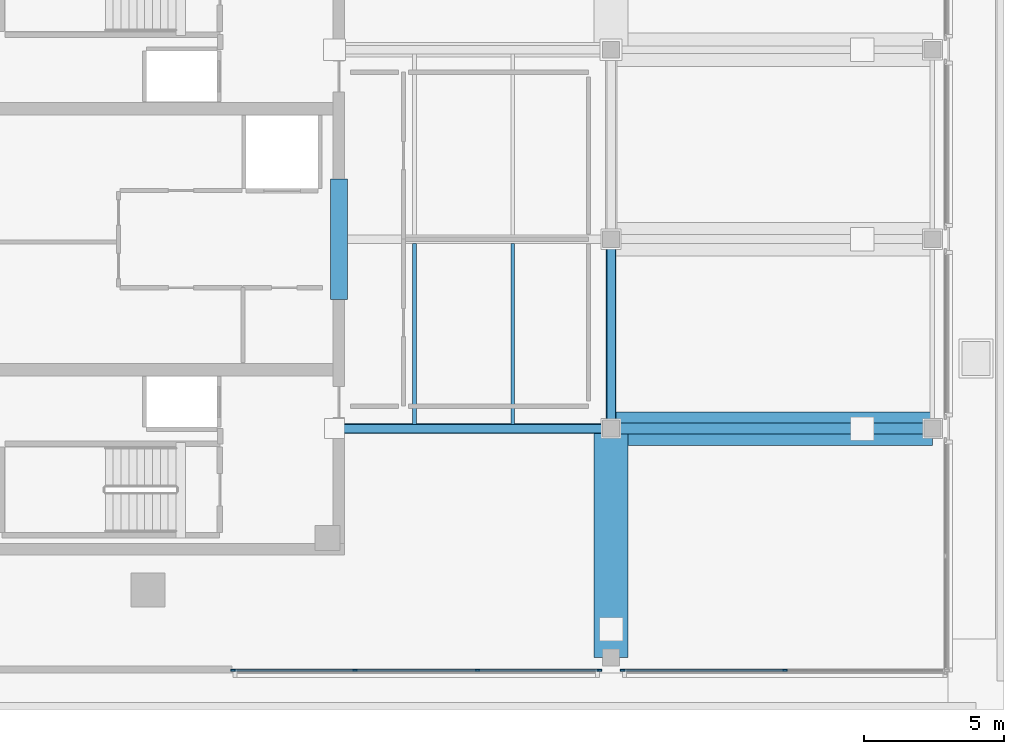
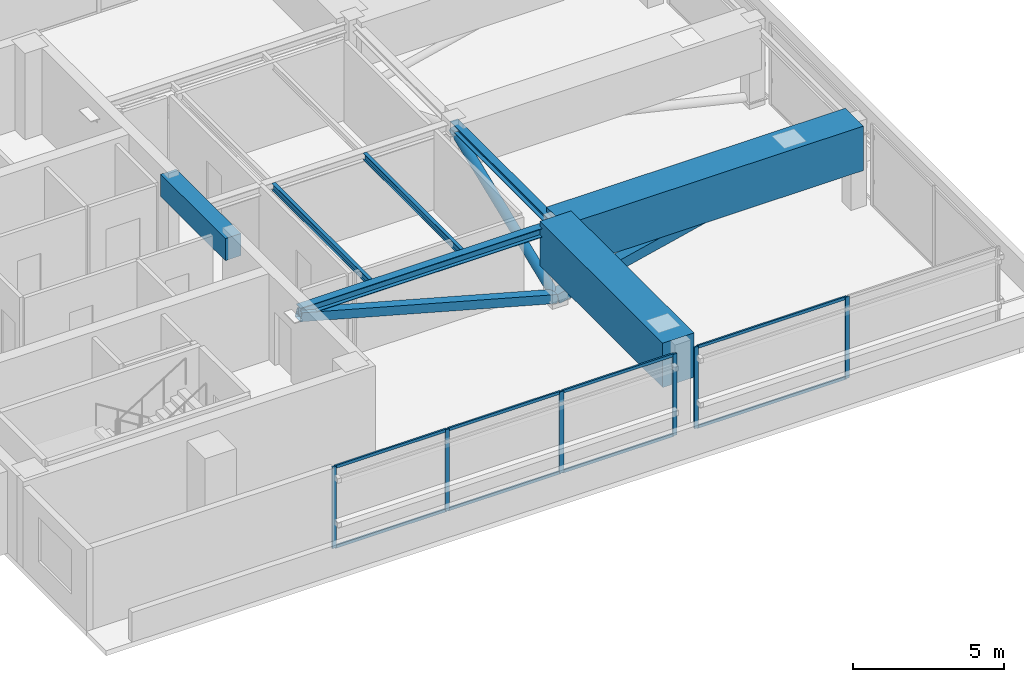
# One storey, part 2 of 11: 17 members, 7 beams, 2 elements without a shape of their own.
"""IFC4 building model written with IfcOpenShell, lengths in metres."""

import ifcopenshell
import ifcopenshell.guid

model = None  # the IFC model being written
_history = None  # IfcOwnerHistory: only IFC2X3 demands one
_inside = {}  # id of a spatial element -> (the spatial element, [elements in it])
_under = {}  # id of a project, library or spatial element -> (it, [spatial elements below it])
_declared = {}  # id of a project -> (the project, [libraries it declares])
_typed = {}  # id of a type object -> (the type object, [elements of that type])
_made_of = {}  # id of a material, layer set ... -> (it, [elements and type objects made of it])


def new_model(schema):
    """Start an empty IFC model of exactly this schema.

    Asked for "IFC4X3", IfcOpenShell would pick the latest addendum, in which some entities
    have other attributes; the version numbers below select the first issue.
    IFC2X3 requires an IfcOwnerHistory on every rooted entity: one is made here for all.
    """
    global model, _history
    if schema == "IFC4X3":
        model = ifcopenshell.file(schema_version=(4, 3, 0, 0))
    else:
        model = ifcopenshell.file(schema=schema)
    _inside.clear()
    _under.clear()
    _declared.clear()
    _typed.clear()
    _made_of.clear()
    _history = None
    if model.schema == "IFC2X3":
        org = make("IfcOrganization", Name="unknown")
        user = make(
            "IfcPersonAndOrganization",
            ThePerson=make("IfcPerson", FamilyName="unknown"),
            TheOrganization=org,
        )
        app = make(
            "IfcApplication",
            ApplicationDeveloper=org,
            Version="unknown",
            ApplicationFullName="unknown",
            ApplicationIdentifier="unknown",
        )
        _history = make(
            "IfcOwnerHistory",
            OwningUser=user,
            OwningApplication=app,
            ChangeAction="ADDED",
            CreationDate=0,
        )
    return model


def make(cls, **values):
    """One entity of the class cls with the attributes given. An attribute that is None is left unset."""
    return model.create_entity(
        cls, **{name: value for name, value in values.items() if value is not None}
    )


def rooted(cls, **values):
    """An entity with a GlobalId (a new one), such as an element, a storey or a relation."""
    return make(cls, GlobalId=ifcopenshell.guid.new(), OwnerHistory=_history, **values)


def si_unit(unit_type, name, prefix=None):
    """IfcSIUnit, for example si_unit("LENGTHUNIT", "METRE", prefix="MILLI")."""
    return make("IfcSIUnit", UnitType=unit_type, Prefix=prefix, Name=name)


def assignment(units):
    """IfcUnitAssignment: the units of a project."""
    return None if units is None else make("IfcUnitAssignment", Units=units)


def point(xyz):
    """IfcCartesianPoint."""
    return None if xyz is None else make("IfcCartesianPoint", Coordinates=xyz)


def direction(xyz):
    """IfcDirection."""
    return None if xyz is None else make("IfcDirection", DirectionRatios=xyz)


def frame(location, z_axis=None, x_axis=None):
    """IfcAxis2Placement3D, a coordinate frame: its origin and axes. An axis left out is left unset."""
    return make(
        "IfcAxis2Placement3D",
        Location=point(location),
        Axis=direction(z_axis),
        RefDirection=direction(x_axis),
    )


def frame_2d(location, x_axis=None):
    """IfcAxis2Placement2D, a coordinate frame in the plane: its origin and x axis."""
    return make(
        "IfcAxis2Placement2D", Location=point(location), RefDirection=direction(x_axis)
    )


def origin():
    """The frame at (0, 0, 0) with its axes left unset."""
    return frame((0.0, 0.0, 0.0))


def origin_2d():
    """The frame at (0, 0) in the plane with its x axis left unset."""
    return frame_2d((0.0, 0.0))


def place(relative_to, where):
    """IfcLocalPlacement: puts the frame where relative to a parent placement (None: the world)."""
    return make(
        "IfcLocalPlacement", PlacementRelTo=relative_to, RelativePlacement=where
    )


def context(
    kind, dimensions, precision=None, world=None, true_north=None, identifier=None
):
    """IfcGeometricRepresentationContext, for example the 3D "Model" context."""
    return make(
        "IfcGeometricRepresentationContext",
        ContextIdentifier=identifier,
        ContextType=kind,
        CoordinateSpaceDimension=dimensions,
        Precision=precision,
        WorldCoordinateSystem=world,
        TrueNorth=true_north,
    )


def subcontext(parent, identifier, kind, view, scale=None):
    """IfcGeometricRepresentationSubContext, for example "Body" below "Model"."""
    return make(
        "IfcGeometricRepresentationSubContext",
        ContextIdentifier=identifier,
        ContextType=kind,
        ParentContext=parent,
        TargetScale=scale,
        TargetView=view,
    )


def project(units=None, contexts=None):
    """IfcProject with its units and contexts."""
    return rooted(
        "IfcProject",
        Name="project",
        RepresentationContexts=contexts,
        UnitsInContext=assignment(units),
    )


def spatial(cls, under=None, at=None, **own):
    """A site, building, storey or space (cls), placed at a placement, below another one or the project."""
    s = rooted(cls, ObjectPlacement=at, **own)
    if under is not None:
        _under.setdefault(under.id(), (under, []))[1].append(s)
    return s


def profile(cls, at=None, kind="AREA", **sizes):
    """A parametric profile (cls). Its sizes go by their IFC names, for example OverallWidth=200.0."""
    return make(cls, ProfileType=kind, Position=at, **sizes)


def rectangle(**sizes):
    """IfcRectangleProfileDef."""
    return profile("IfcRectangleProfileDef", **sizes)


def hollow_rectangle(**sizes):
    """IfcRectangleHollowProfileDef."""
    return profile("IfcRectangleHollowProfileDef", **sizes)


def hollow_circle(**sizes):
    """IfcCircleHollowProfileDef."""
    return profile("IfcCircleHollowProfileDef", **sizes)


def i_section(**sizes):
    """IfcIShapeProfileDef."""
    return profile("IfcIShapeProfileDef", **sizes)


def extrude(swept, where, along, depth):
    """IfcExtrudedAreaSolid: the profile swept, set in the frame where, extruded along a direction by depth."""
    return make(
        "IfcExtrudedAreaSolid",
        SweptArea=swept,
        Position=where,
        ExtrudedDirection=direction(along),
        Depth=depth,
    )


def shape(context_of_items, identifier, shape_type, items):
    """IfcShapeRepresentation: the items that make up one representation, for example the "Body"."""
    return make(
        "IfcShapeRepresentation",
        ContextOfItems=context_of_items,
        RepresentationIdentifier=identifier,
        RepresentationType=shape_type,
        Items=items,
    )


def material(Name=None, Category=None):
    """IfcMaterial."""
    return make("IfcMaterial", Name=Name, Category=Category)


def layer(
    of_material, thickness, ventilated=None, Name=None, Category=None, Priority=None
):
    """IfcMaterialLayer: one layer of a wall or slab, of a material (None: an air gap)."""
    return make(
        "IfcMaterialLayer",
        Material=of_material,
        LayerThickness=thickness,
        IsVentilated=ventilated,
        Name=Name,
        Category=Category,
        Priority=Priority,
    )


def layer_set(layers, Name=None):
    """IfcMaterialLayerSet."""
    return make("IfcMaterialLayerSet", MaterialLayers=layers, LayerSetName=Name)


def material_profile(
    of_material, cross_section, Name=None, Category=None, Priority=None
):
    """IfcMaterialProfile: a cross section and its material."""
    return make(
        "IfcMaterialProfile",
        Name=Name,
        Material=of_material,
        Profile=cross_section,
        Priority=Priority,
        Category=Category,
    )


def profile_set(profiles, Name=None, composite=None):
    """IfcMaterialProfileSet."""
    return make(
        "IfcMaterialProfileSet",
        Name=Name,
        MaterialProfiles=profiles,
        CompositeProfile=composite,
    )


def made_of(thing, what):
    """Note that an element or type object is made of a material, layer set ...; save() writes the relation."""
    if what is not None:
        _made_of.setdefault(what.id(), (what, []))[1].append(thing)
    return thing


def type_object(cls, material=None, **own):
    """A type object (cls), such as IfcWallType, which elements share."""
    return made_of(rooted(cls, **own), material)


def element(
    cls,
    number,
    at=None,
    inside=None,
    cuts=None,
    type_object=None,
    material=None,
    context=None,
    identifier="Body",
    shape_type=None,
    held_by="IfcProductDefinitionShape",
    body=None,
    shapes=None,
    **own,
):
    """One element of the class cls, such as IfcWall. Its Tag is "e" and its number.

    at: its placement. inside: the storey or other place that contains it. cuts: it is an
    opening in that element (IfcRelVoidsElement). A single representation is given by context,
    identifier, shape_type and body (its items); several are given by shapes. held_by: the class
    of the entity that holds the representations. save() writes the other relations.
    """
    e = rooted(cls, Tag="e%d" % number, ObjectPlacement=at, **own)
    if body is not None:
        shapes = [shape(context, identifier, shape_type, body)]
    if shapes is not None:
        e.Representation = make(held_by, Representations=shapes)
    if inside is not None:
        _inside.setdefault(inside.id(), (inside, []))[1].append(e)
    if cuts is not None:
        rooted(
            "IfcRelVoidsElement", RelatingBuildingElement=cuts, RelatedOpeningElement=e
        )
    if type_object is not None:
        _typed.setdefault(type_object.id(), (type_object, []))[1].append(e)
    return made_of(e, material)


def aggregate(whole, parts):
    """IfcRelAggregates: a whole, such as a stair, and the parts it consists of."""
    return rooted("IfcRelAggregates", RelatingObject=whole, RelatedObjects=parts)


def save(model, path):
    """Write the relations noted so far, then the file.

    IfcRelAggregates (storeys below a building ...), IfcRelContainedInSpatialStructure (elements
    in a storey), IfcRelDefinesByType, IfcRelAssociatesMaterial and IfcRelDeclares: one each for
    every whole, place, type object, material and project.
    """
    for whole, parts in _under.values():
        aggregate(whole, parts)
    for where, things in _inside.values():
        rooted(
            "IfcRelContainedInSpatialStructure",
            RelatedElements=things,
            RelatingStructure=where,
        )
    for kind, things in _typed.values():
        rooted("IfcRelDefinesByType", RelatedObjects=things, RelatingType=kind)
    for what, things in _made_of.values():
        rooted("IfcRelAssociatesMaterial", RelatedObjects=things, RelatingMaterial=what)
    for by, libraries in _declared.values():
        rooted("IfcRelDeclares", RelatingContext=by, RelatedDefinitions=libraries)
    model.write(path)


model = new_model("IFC4")

# Units and contexts
model_context = context("Model", 3, precision=1e-05, world=origin(), true_north=direction((0.0, 1.0)))
body_context = subcontext(model_context, "Body", "Model", "MODEL_VIEW")
ifc_project = project(units=[si_unit("LENGTHUNIT", "METRE"), si_unit("AREAUNIT", "SQUARE_METRE"), si_unit("VOLUMEUNIT", "CUBIC_METRE"), si_unit("PLANEANGLEUNIT", "RADIAN"), si_unit("MASSUNIT", "GRAM", prefix="KILO")], contexts=[model_context])

# Site, building, storey
site_placement = place(None, origin())
site = spatial("IfcSite", under=ifc_project, at=site_placement, CompositionType="ELEMENT")
building_placement = place(site_placement, origin())
building = spatial("IfcBuilding", under=site, at=building_placement, Name="Kinhvarn Gate Tower", CompositionType="ELEMENT")
storey_placement = place(building_placement, frame((0.0, 0.0, 307.550048828125)))
storey = spatial("IfcBuildingStorey", under=building, at=storey_placement, Name="L81", CompositionType="ELEMENT", Elevation=307.550048828125)

# Beams
ifc_material_1 = material(Name="Concrete C60/75", Category="concrete")
ifc_material_profile_1 = material_profile(ifc_material_1, rectangle(XDim=0.60009765625, YDim=0.89990234375, at=origin_2d()), Name="RC 600x900")
ifc_profile_set_1 = profile_set([ifc_material_profile_1], Name="Concrete C60/75")
beam_type_1 = type_object("IfcBeamType", Name="BM-CB-900", PredefinedType="LINTEL", material=ifc_profile_set_1)
beam_1_placement = place(storey_placement, frame((17.800048828125, 23.10009765625, 2.849853515625), z_axis=(0.0, 1.0, 0.0), x_axis=(-1.0, 0.0, 0.0)))
element("IfcBeam", 1, at=beam_1_placement, inside=storey, type_object=beam_type_1, Name="Core East Portal Coupling Beam L81", PredefinedType="LINTEL", context=body_context, shape_type="SweptSolid", body=[
    extrude(rectangle(XDim=0.60009765625, YDim=0.89990234375, at=origin_2d()), origin(), (0.0, 0.0, 1.0), 4.2998046875),
])
ifc_material_2 = material(Name="Concrete C50/60", Category="concrete")
ifc_material_profile_2 = material_profile(ifc_material_2, rectangle(XDim=1.199951171875, YDim=1.800048828125, at=origin_2d()), Name="RC 1200x1800")
ifc_profile_set_2 = profile_set([ifc_material_profile_2], Name="Concrete C50/60")
beam_type_2 = type_object("IfcBeamType", Name="BM-TG-1800", PredefinedType="BEAM", material=ifc_profile_set_2)
beam_2_placement = place(storey_placement, frame((27.5, 18.5, 2.599853515625), z_axis=(1.0, 0.0, 0.0), x_axis=(0.0, 1.0, 0.0)))
element("IfcBeam", 2, at=beam_2_placement, inside=storey, type_object=beam_type_2, Name="Setback Transfer Girder TG-03-L82-CCR-E1", PredefinedType="BEAM", context=body_context, shape_type="SweptSolid", body=[
    extrude(rectangle(XDim=1.199951171875, YDim=1.800048828125, at=origin_2d()), origin(), (0.0, 0.0, 1.0), 11.449951171875),
])
beam_3_placement = place(storey_placement, frame((27.5, 10.35009765625, 2.599853515625), z_axis=(0.0, 1.0, 0.0), x_axis=(-1.0, 0.0, 0.0)))
element("IfcBeam", 3, at=beam_3_placement, inside=storey, type_object=beam_type_2, Name="Setback Transfer Girder TG-03-L82-CCR-S1", PredefinedType="BEAM", context=body_context, shape_type="SweptSolid", body=[
    extrude(rectangle(XDim=1.199951171875, YDim=1.800048828125, at=origin_2d()), origin(), (0.0, 0.0, 1.0), 8.14990234375),
])

# Curtain wall, members
ifc_material_3 = material(Name="Anodised aluminium AW-6063", Category="aluminium")
ifc_layer = layer(ifc_material_3, 0.199951171875)
ifc_layer_set = layer_set([ifc_layer], Name="Anodised aluminium AW-6063")
curtain_wall_type = type_object("IfcCurtainWallType", Name="CW-SYS-6", PredefinedType="NOTDEFINED", material=ifc_layer_set)
curtain_wall_1_placement = place(storey_placement, origin())
curtain_wall_1 = element("IfcCurtainWall", 4, at=curtain_wall_1_placement, inside=storey, type_object=curtain_wall_type, Name="Curtain Wall CW6 (L81)", PredefinedType="NOTDEFINED")
ifc_material_profile_3 = material_profile(ifc_material_3, rectangle(XDim=0.06494140625, YDim=0.159912109375, at=origin_2d()), Name="ALU 65x160")
ifc_profile_set_3 = profile_set([ifc_material_profile_3], Name="Anodised aluminium AW-6063")
member_type_1 = type_object("IfcMemberType", Name="CW-MUL-160", PredefinedType="MULLION", material=ifc_profile_set_3)
member_1_placement = place(storey_placement, frame((14.032470703125, 9.889892578125, 0.0), z_axis=(0.0, 0.0, 1.0), x_axis=(0.0, 1.0, 0.0)))
member_1 = element("IfcMember", 5, at=member_1_placement, type_object=member_type_1, Name="CW6 mullion 1", PredefinedType="MULLION", context=body_context, shape_type="SweptSolid", body=[
    extrude(rectangle(XDim=0.06494140625, YDim=0.159912109375, at=origin_2d()), origin(), (0.0, 0.0, 1.0), 3.300048828125),
])
member_2_placement = place(storey_placement, frame((18.373291015625, 9.889892578125, 0.0), z_axis=(0.0, 0.0, 1.0), x_axis=(0.0, 1.0, 0.0)))
member_2 = element("IfcMember", 6, at=member_2_placement, type_object=member_type_1, Name="CW6 mullion 2", PredefinedType="MULLION", context=body_context, shape_type="SweptSolid", body=[
    extrude(rectangle(XDim=0.06494140625, YDim=0.159912109375, at=origin_2d()), origin(), (0.0, 0.0, 1.0), 3.300048828125),
])
member_3_placement = place(storey_placement, frame((22.74658203125, 9.889892578125, 0.0), z_axis=(0.0, 0.0, 1.0), x_axis=(0.0, 1.0, 0.0)))
member_3 = element("IfcMember", 7, at=member_3_placement, type_object=member_type_1, Name="CW6 mullion 3", PredefinedType="MULLION", context=body_context, shape_type="SweptSolid", body=[
    extrude(rectangle(XDim=0.06494140625, YDim=0.159912109375, at=origin_2d()), origin(), (0.0, 0.0, 1.0), 3.300048828125),
])
member_4_placement = place(storey_placement, frame((27.08740234375, 9.889892578125, 0.0), z_axis=(0.0, 0.0, 1.0), x_axis=(0.0, 1.0, 0.0)))
member_4 = element("IfcMember", 8, at=member_4_placement, type_object=member_type_1, Name="CW6 mullion 4", PredefinedType="MULLION", context=body_context, shape_type="SweptSolid", body=[
    extrude(rectangle(XDim=0.06494140625, YDim=0.159912109375, at=origin_2d()), origin(), (0.0, 0.0, 1.0), 3.300048828125),
])

curtain_wall_2_placement = place(storey_placement, origin())
curtain_wall_2 = element("IfcCurtainWall", 9, at=curtain_wall_2_placement, inside=storey, type_object=curtain_wall_type, Name="Curtain Wall CW6 (L81)", PredefinedType="NOTDEFINED")
member_5_placement = place(storey_placement, frame((27.91259765625, 9.889892578125, 0.0), z_axis=(0.0, 0.0, 1.0), x_axis=(0.0, 1.0, 0.0)))
member_5 = element("IfcMember", 10, at=member_5_placement, type_object=member_type_1, Name="CW6 mullion 1", PredefinedType="MULLION", context=body_context, shape_type="SweptSolid", body=[
    extrude(rectangle(XDim=0.06494140625, YDim=0.159912109375, at=origin_2d()), origin(), (0.0, 0.0, 1.0), 3.300048828125),
])
member_6_placement = place(storey_placement, frame((33.68994140625, 9.889892578125, 0.0), z_axis=(0.0, 0.0, 1.0), x_axis=(0.0, 1.0, 0.0)))
member_6 = element("IfcMember", 11, at=member_6_placement, type_object=member_type_1, Name="CW6 mullion 2", PredefinedType="MULLION", context=body_context, shape_type="SweptSolid", body=[
    extrude(rectangle(XDim=0.06494140625, YDim=0.159912109375, at=origin_2d()), origin(), (0.0, 0.0, 1.0), 3.300048828125),
])

# Member
ifc_material_profile_4 = material_profile(ifc_material_3, rectangle(XDim=0.06494140625, YDim=0.1201171875, at=origin_2d()), Name="ALU 65x120")
ifc_profile_set_4 = profile_set([ifc_material_profile_4], Name="Anodised aluminium AW-6063")
member_type_2 = type_object("IfcMemberType", Name="CW-TRN-120", PredefinedType="USERDEFINED", material=ifc_profile_set_4)
member_7_placement = place(storey_placement, frame((14.06494140625, 9.889892578125, 0.032470703125), z_axis=(1.0, 0.0, 0.0), x_axis=(0.0, 1.0, 0.0)))
member_7 = element("IfcMember", 12, at=member_7_placement, type_object=member_type_2, Name="CW6 transom 1.1", ObjectType="TRANSOM", PredefinedType="USERDEFINED", context=body_context, shape_type="SweptSolid", body=[
    extrude(rectangle(XDim=0.06494140625, YDim=0.1201171875, at=origin_2d()), origin(), (0.0, 0.0, 1.0), 4.27587890625),
])

member_8_placement = place(storey_placement, frame((14.06494140625, 9.889892578125, 3.267333984375), z_axis=(1.0, 0.0, 0.0), x_axis=(0.0, 1.0, 0.0)))
member_8 = element("IfcMember", 13, at=member_8_placement, type_object=member_type_2, Name="CW6 transom 1.2", ObjectType="TRANSOM", PredefinedType="USERDEFINED", context=body_context, shape_type="SweptSolid", body=[
    extrude(rectangle(XDim=0.06494140625, YDim=0.1201171875, at=origin_2d()), origin(), (0.0, 0.0, 1.0), 4.27587890625),
])

member_9_placement = place(storey_placement, frame((18.40576171875, 9.889892578125, 0.032470703125), z_axis=(1.0, 0.0, 0.0), x_axis=(0.0, 1.0, 0.0)))
member_9 = element("IfcMember", 14, at=member_9_placement, type_object=member_type_2, Name="CW6 transom 2.1", ObjectType="TRANSOM", PredefinedType="USERDEFINED", context=body_context, shape_type="SweptSolid", body=[
    extrude(rectangle(XDim=0.06494140625, YDim=0.1201171875, at=origin_2d()), origin(), (0.0, 0.0, 1.0), 4.308349609375),
])

member_10_placement = place(storey_placement, frame((18.40576171875, 9.889892578125, 3.267333984375), z_axis=(1.0, 0.0, 0.0), x_axis=(0.0, 1.0, 0.0)))
member_10 = element("IfcMember", 15, at=member_10_placement, type_object=member_type_2, Name="CW6 transom 2.2", ObjectType="TRANSOM", PredefinedType="USERDEFINED", context=body_context, shape_type="SweptSolid", body=[
    extrude(rectangle(XDim=0.06494140625, YDim=0.1201171875, at=origin_2d()), origin(), (0.0, 0.0, 1.0), 4.308349609375),
])

member_11_placement = place(storey_placement, frame((22.779052734375, 9.889892578125, 0.032470703125), z_axis=(1.0, 0.0, 0.0), x_axis=(0.0, 1.0, 0.0)))
member_11 = element("IfcMember", 16, at=member_11_placement, type_object=member_type_2, Name="CW6 transom 3.1", ObjectType="TRANSOM", PredefinedType="USERDEFINED", context=body_context, shape_type="SweptSolid", body=[
    extrude(rectangle(XDim=0.06494140625, YDim=0.1201171875, at=origin_2d()), origin(), (0.0, 0.0, 1.0), 4.27587890625),
])

member_12_placement = place(storey_placement, frame((22.779052734375, 9.889892578125, 3.267333984375), z_axis=(1.0, 0.0, 0.0), x_axis=(0.0, 1.0, 0.0)))
member_12 = element("IfcMember", 17, at=member_12_placement, type_object=member_type_2, Name="CW6 transom 3.2", ObjectType="TRANSOM", PredefinedType="USERDEFINED", context=body_context, shape_type="SweptSolid", body=[
    extrude(rectangle(XDim=0.06494140625, YDim=0.1201171875, at=origin_2d()), origin(), (0.0, 0.0, 1.0), 4.27587890625),
])

aggregate(curtain_wall_1, [member_1, member_2, member_3, member_4, member_7, member_8, member_9, member_10, member_11, member_12])

member_13_placement = place(storey_placement, frame((27.945068359375, 9.889892578125, 0.032470703125), z_axis=(1.0, 0.0, 0.0), x_axis=(0.0, 1.0, 0.0)))
member_13 = element("IfcMember", 18, at=member_13_placement, type_object=member_type_2, Name="CW6 transom 1.1", ObjectType="TRANSOM", PredefinedType="USERDEFINED", context=body_context, shape_type="SweptSolid", body=[
    extrude(rectangle(XDim=0.06494140625, YDim=0.1201171875, at=origin_2d()), origin(), (0.0, 0.0, 1.0), 5.71240234375),
])

member_14_placement = place(storey_placement, frame((27.945068359375, 9.889892578125, 3.267333984375), z_axis=(1.0, 0.0, 0.0), x_axis=(0.0, 1.0, 0.0)))
member_14 = element("IfcMember", 19, at=member_14_placement, type_object=member_type_2, Name="CW6 transom 1.2", ObjectType="TRANSOM", PredefinedType="USERDEFINED", context=body_context, shape_type="SweptSolid", body=[
    extrude(rectangle(XDim=0.06494140625, YDim=0.1201171875, at=origin_2d()), origin(), (0.0, 0.0, 1.0), 5.71240234375),
])

aggregate(curtain_wall_2, [member_5, member_6, member_13, member_14])

# Members
ifc_material_4 = material(Name="Steel S355", Category="steel")
ifc_material_profile_5 = material_profile(ifc_material_4, hollow_circle(Radius=0.177734375, WallThickness=0.01611328125, at=origin_2d()), Name="CHS 355.6x16")
ifc_profile_set_5 = profile_set([ifc_material_profile_5], Name="Steel S355")
member_type_3 = type_object("IfcMemberType", Name="MBR-CHS355_6x16", PredefinedType="STRUT", material=ifc_profile_set_5)
member_15_placement = place(storey_placement, frame((27.5, 18.5, 0.25), z_axis=(0.0, 0.928479006877, 0.371384886323), x_axis=(-1.0, 0.0, 0.0)))
element("IfcMember", 20, at=member_15_placement, inside=storey, type_object=member_type_3, Name="Crown Frame Strut SR-13 (CHS 355.6x16)", PredefinedType="STRUT", context=body_context, shape_type="SweptSolid", body=[
    extrude(hollow_circle(Radius=0.177734375, WallThickness=0.01611328125, at=origin_2d()), origin(), (0.0, 0.0, 1.0), 7.27001953125),
])
ifc_material_profile_6 = material_profile(ifc_material_4, hollow_rectangle(XDim=0.35009765625, YDim=0.35009765625, WallThickness=0.01611328125, at=origin_2d()), Name="SHS 350x350x16")
ifc_profile_set_6 = profile_set([ifc_material_profile_6], Name="Steel S355")
member_type_4 = type_object("IfcMemberType", Name="MBR-SHS350x350x16", PredefinedType="BRACE", material=ifc_profile_set_6)
member_16_placement = place(storey_placement, frame((17.64990234375, 18.5, 2.949951171875), z_axis=(0.964425984985, 0.0, -0.264353020571), x_axis=(0.0, 1.0, 0.0)))
element("IfcMember", 21, at=member_16_placement, inside=storey, type_object=member_type_4, Name="Crown Frame Strut BR-08 (SHS 350x350x16)", PredefinedType="BRACE", context=body_context, shape_type="SweptSolid", body=[
    extrude(hollow_rectangle(XDim=0.35009765625, YDim=0.35009765625, WallThickness=0.01611328125, at=origin_2d()), origin(), (0.0, 0.0, 1.0), 10.21337890625),
])
ifc_material_profile_7 = material_profile(ifc_material_4, hollow_rectangle(XDim=0.39990234375, YDim=0.39990234375, WallThickness=0.02001953125, at=origin_2d()), Name="SHS 400x400x20")
ifc_profile_set_7 = profile_set([ifc_material_profile_7], Name="Steel S355")
member_type_5 = type_object("IfcMemberType", Name="MBR-SHS400x400x20", PredefinedType="BRACE", material=ifc_profile_set_7)
member_17_placement = place(storey_placement, frame((27.5, 18.5, 0.25), z_axis=(0.973306279804, 0.0, 0.229510099327), x_axis=(0.0, 1.0, 0.0)))
element("IfcMember", 22, at=member_17_placement, inside=storey, type_object=member_type_5, Name="Crown Frame Strut BR-09 (SHS 400x400x20)", PredefinedType="BRACE", context=body_context, shape_type="SweptSolid", body=[
    extrude(hollow_rectangle(XDim=0.39990234375, YDim=0.39990234375, WallThickness=0.02001953125, at=origin_2d()), origin(), (0.0, 0.0, 1.0), 11.763916015625),
])

# Beams
ifc_material_profile_8 = material_profile(ifc_material_4, i_section(OverallWidth=0.300048828125, OverallDepth=0.300048828125, WebThickness=0.010986328125, FlangeThickness=0.01904296875, at=origin_2d()), Name="HEB 300")
ifc_profile_set_8 = profile_set([ifc_material_profile_8], Name="Steel S355")
beam_type_3 = type_object("IfcBeamType", Name="STL-HEB300", PredefinedType="BEAM", material=ifc_profile_set_8)
beam_4_placement = place(storey_placement, frame((27.5, 18.5, 3.14990234375), z_axis=(0.0, 1.0, 0.0), x_axis=(-1.0, 0.0, 0.0)))
element("IfcBeam", 23, at=beam_4_placement, inside=storey, type_object=beam_type_3, Name="Floor Beam PG-10 (L81 CR-NS-M1)", PredefinedType="BEAM", context=body_context, shape_type="SweptSolid", body=[
    extrude(i_section(OverallWidth=0.300048828125, OverallDepth=0.300048828125, WebThickness=0.010986328125, FlangeThickness=0.01904296875, at=origin_2d()), origin(), (0.0, 0.0, 1.0), 6.75),
])
ifc_material_profile_9 = material_profile(ifc_material_4, i_section(OverallWidth=0.300048828125, OverallDepth=0.360107421875, WebThickness=0.012451171875, FlangeThickness=0.0224609375, at=origin_2d()), Name="HEB 360")
ifc_profile_set_9 = profile_set([ifc_material_profile_9], Name="Steel S355")
beam_type_4 = type_object("IfcBeamType", Name="STL-HEB360", PredefinedType="BEAM", material=ifc_profile_set_9)
beam_5_placement = place(storey_placement, frame((17.64990234375, 18.5, 3.119873046875), z_axis=(1.0, 0.0, 0.0), x_axis=(0.0, 1.0, 0.0)))
element("IfcBeam", 24, at=beam_5_placement, inside=storey, type_object=beam_type_4, Name="Floor Beam PG-11 (L81 CR-EW1-18)", PredefinedType="BEAM", context=body_context, shape_type="SweptSolid", body=[
    extrude(i_section(OverallWidth=0.300048828125, OverallDepth=0.360107421875, WebThickness=0.012451171875, FlangeThickness=0.0224609375, at=origin_2d()), origin(), (0.0, 0.0, 1.0), 9.85009765625),
])
ifc_material_profile_10 = material_profile(ifc_material_4, i_section(OverallWidth=0.135009765625, OverallDepth=0.27001953125, WebThickness=0.006591796875, FlangeThickness=0.01025390625, at=origin_2d()), Name="IPE 270")
ifc_profile_set_10 = profile_set([ifc_material_profile_10], Name="Steel S355")
beam_type_5 = type_object("IfcBeamType", Name="STL-IPE270", PredefinedType="JOIST", material=ifc_profile_set_10)
for number, where, z_axis, x_axis, name in (
    (25, (20.5, 18.64990234375, 3.1650390625), (0.0, 1.0, 0.0), (-1.0, 0.0, 0.0), "Floor Joist SB-01 (L81 CR-J1-205)"),
    (26, (24.0, 18.64990234375, 3.1650390625), (0.0, 1.0, 0.0), (-1.0, 0.0, 0.0), "Floor Joist SB-01 (L81 CR-J1-240)"),
):
    element("IfcBeam", number, at=place(storey_placement, frame(where, z_axis=z_axis, x_axis=x_axis)), inside=storey, type_object=beam_type_5, Name=name, PredefinedType="JOIST", context=body_context, shape_type="SweptSolid", body=[
        extrude(i_section(OverallWidth=0.135009765625, OverallDepth=0.27001953125, WebThickness=0.006591796875, FlangeThickness=0.01025390625, at=origin_2d()), origin(), (0.0, 0.0, 1.0), 6.4501953125),
    ])

save(model, "model.ifc")
